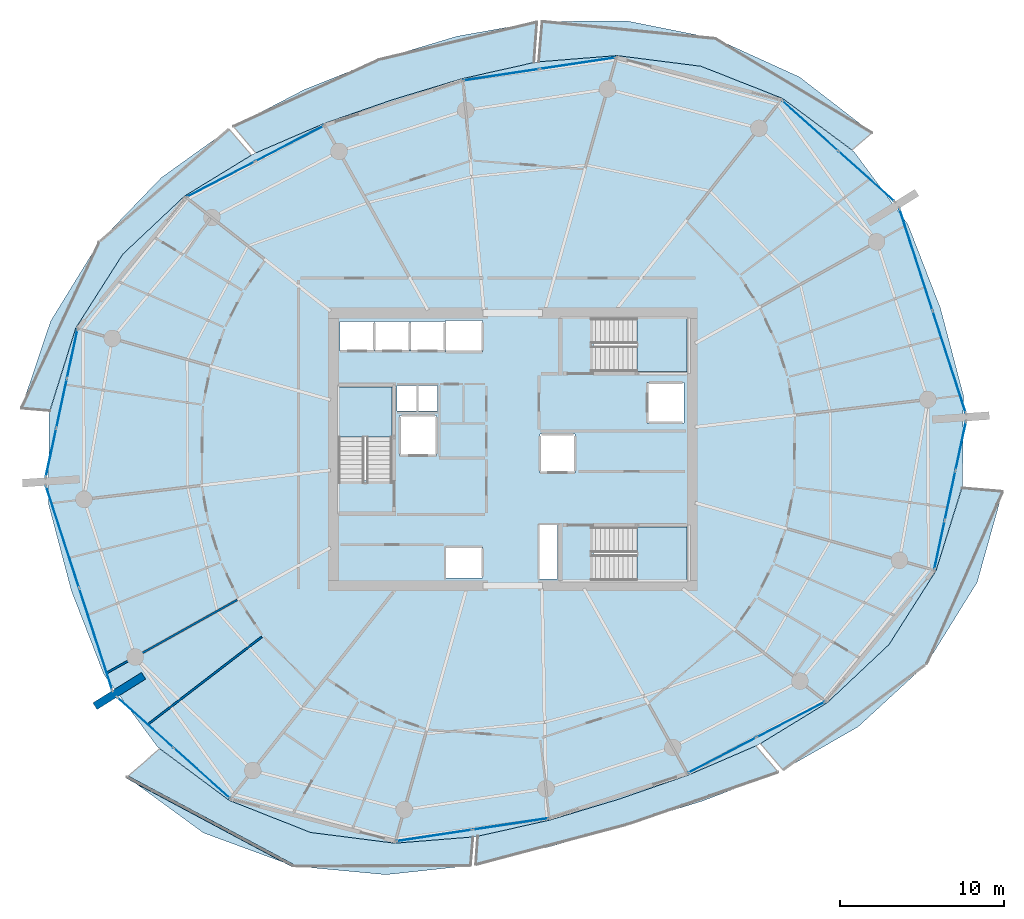
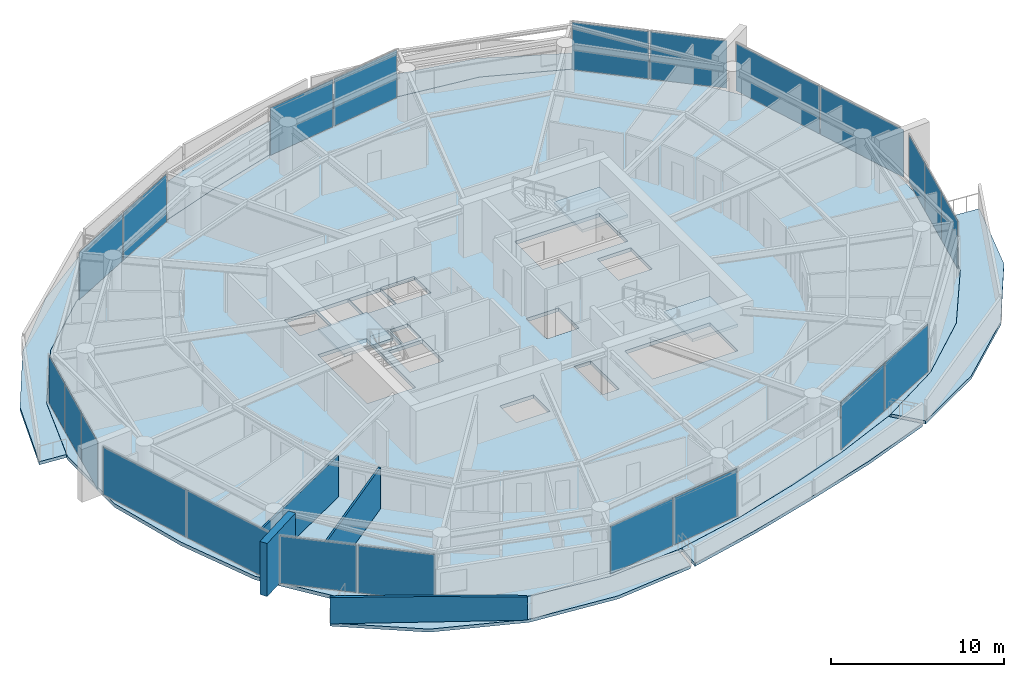
# One storey, part 10 of 20: 22 plates, 10 slabs, 4 walls, 13 elements without a shape of their own.
"""IFC4 building model written with IfcOpenShell, lengths in metres."""

from ifc_helpers import new_model, si_unit, direction, frame, frame_2d, origin, origin_2d, place, context, subcontext, project, spatial, polyline, rectangle, outline, extrude, material, layer, layer_set, type_object, element, aggregate, save


model = new_model("IFC4")

# Units and contexts
model_context = context("Model", 3, precision=1e-05, world=origin(), true_north=direction((0.0, 1.0)))
body_context = subcontext(model_context, "Body", "Model", "MODEL_VIEW")
ifc_project = project(units=[si_unit("LENGTHUNIT", "METRE"), si_unit("AREAUNIT", "SQUARE_METRE"), si_unit("VOLUMEUNIT", "CUBIC_METRE"), si_unit("PLANEANGLEUNIT", "RADIAN"), si_unit("MASSUNIT", "GRAM", prefix="KILO")], contexts=[model_context])

# Site, building, storey
site_placement = place(None, origin())
site = spatial("IfcSite", under=ifc_project, at=site_placement, CompositionType="ELEMENT")
building_placement = place(site_placement, origin())
building = spatial("IfcBuilding", under=site, at=building_placement, Name="Kazma Halo Residences", CompositionType="ELEMENT")
storey_placement = place(building_placement, frame((0.0, 0.0, 214.050048828125)))
storey = spatial("IfcBuildingStorey", under=building, at=storey_placement, Name="L54", CompositionType="ELEMENT", Elevation=214.050048828125)

# Curtain wall, plates
ifc_material_1 = material(Name="Aluminium AW-6063 T6 and Triple-Silver Low-E Glass", Category="aluminium")
ifc_layer_1 = layer(ifc_material_1, 0.219970703125)
ifc_layer_set_1 = layer_set([ifc_layer_1], Name="Aluminium AW-6063 T6 and Triple-Silver Low-E Glass")
curtain_wall_type = type_object("IfcCurtainWallType", Name="CW-SYS-4", PredefinedType="NOTDEFINED", material=ifc_layer_set_1)
curtain_wall_1_placement = place(storey_placement, origin())
curtain_wall_1 = element("IfcCurtainWall", 1, at=curtain_wall_1_placement, inside=storey, type_object=curtain_wall_type, Name="L54 unitised curtain wall B01", PredefinedType="NOTDEFINED")
ifc_material_2 = material(Name="Clear Triple-Silver Low-E Glass IGU", Category="glass")
ifc_layer_2 = layer(ifc_material_2, 0.033935546875)
ifc_layer_set_2 = layer_set([ifc_layer_2], Name="Clear Triple-Silver Low-E Glass IGU")
plate_type = type_object("IfcPlateType", Name="CW-SYS-4-PNL", PredefinedType="CURTAIN_PANEL", material=ifc_layer_set_2)
plate_1_placement = place(storey_placement, frame((70.001220703125, 58.669677734375, 0.074951171875), z_axis=(0.0, 0.0, 1.0), x_axis=(-0.744354814723, 0.667784328806, 0.0)))
plate_1 = element("IfcPlate", 2, at=plate_1_placement, type_object=plate_type, Name="CWS-4 panel 1.1", PredefinedType="CURTAIN_PANEL", context=body_context, shape_type="SweptSolid", body=[
    extrude(rectangle(XDim=4.5478515625, YDim=0.033935546875, at=origin_2d()), origin(), (0.0, 0.0, 1.0), 3.35009765625),
])
plate_2_placement = place(storey_placement, frame((66.56005859375, 61.7568359375, 0.074951171875), z_axis=(0.0, 0.0, 1.0), x_axis=(-0.744354814723, 0.667784328806, 0.0)))
plate_2 = element("IfcPlate", 3, at=plate_2_placement, type_object=plate_type, Name="CWS-4 panel 2.1", PredefinedType="CURTAIN_PANEL", context=body_context, shape_type="SweptSolid", body=[
    extrude(rectangle(XDim=4.5478515625, YDim=0.033935546875, at=origin_2d()), origin(), (0.0, 0.0, 1.0), 3.35009765625),
])
aggregate(curtain_wall_1, [plate_1, plate_2])

curtain_wall_2_placement = place(storey_placement, origin())
curtain_wall_2 = element("IfcCurtainWall", 4, at=curtain_wall_2_placement, inside=storey, type_object=curtain_wall_type, Name="L54 unitised curtain wall B03", PredefinedType="NOTDEFINED")
plate_3_placement = place(storey_placement, frame((52.375, 65.562255859375, 0.074951171875), z_axis=(0.0, 0.0, 1.0), x_axis=(-0.988871428361, -0.148772639188, 0.0)))
plate_3 = element("IfcPlate", 5, at=plate_3_placement, type_object=plate_type, Name="CWS-4 panel 1.1", PredefinedType="CURTAIN_PANEL", context=body_context, shape_type="SweptSolid", body=[
    extrude(rectangle(XDim=4.64501953125, YDim=0.033935546875, at=origin_2d()), origin(), (0.0, 0.0, 1.0), 3.35009765625),
])
plate_4_placement = place(storey_placement, frame((47.70751953125, 64.860107421875, 0.074951171875), z_axis=(0.0, 0.0, 1.0), x_axis=(-0.988871428361, -0.148772639188, 0.0)))
plate_4 = element("IfcPlate", 6, at=plate_4_placement, type_object=plate_type, Name="CWS-4 panel 2.1", PredefinedType="CURTAIN_PANEL", context=body_context, shape_type="SweptSolid", body=[
    extrude(rectangle(XDim=4.64501953125, YDim=0.033935546875, at=origin_2d()), origin(), (0.0, 0.0, 1.0), 3.35009765625),
])
aggregate(curtain_wall_2, [plate_3, plate_4])

curtain_wall_3_placement = place(storey_placement, origin())
curtain_wall_3 = element("IfcCurtainWall", 7, at=curtain_wall_3_placement, inside=storey, type_object=curtain_wall_type, Name="L54 unitised curtain wall B05", PredefinedType="NOTDEFINED")
plate_5_placement = place(storey_placement, frame((34.7998046875, 60.666015625, 0.074951171875), z_axis=(0.0, 0.0, 1.0), x_axis=(-0.887465657575, -0.460873851097, 0.0)))
plate_5 = element("IfcPlate", 8, at=plate_5_placement, type_object=plate_type, Name="CWS-4 panel 1.1", PredefinedType="CURTAIN_PANEL", context=body_context, shape_type="SweptSolid", body=[
    extrude(rectangle(XDim=4.64501953125, YDim=0.033935546875, at=origin_2d()), origin(), (0.0, 0.0, 1.0), 3.35009765625),
])
plate_6_placement = place(storey_placement, frame((30.61083984375, 58.49072265625, 0.074951171875), z_axis=(0.0, 0.0, 1.0), x_axis=(-0.887465657575, -0.460873851097, 0.0)))
plate_6 = element("IfcPlate", 9, at=plate_6_placement, type_object=plate_type, Name="CWS-4 panel 2.1", PredefinedType="CURTAIN_PANEL", context=body_context, shape_type="SweptSolid", body=[
    extrude(rectangle(XDim=4.64501953125, YDim=0.033935546875, at=origin_2d()), origin(), (0.0, 0.0, 1.0), 3.35009765625),
])
aggregate(curtain_wall_3, [plate_5, plate_6])

curtain_wall_4_placement = place(storey_placement, origin())
curtain_wall_4 = element("IfcCurtainWall", 10, at=curtain_wall_4_placement, inside=storey, type_object=curtain_wall_type, Name="L54 unitised curtain wall B07", PredefinedType="NOTDEFINED")
plate_7_placement = place(storey_placement, frame((21.53466796875, 47.833740234375, 0.074951171875), z_axis=(0.0, 0.0, 1.0), x_axis=(-0.209689543175, -0.977768017212, 0.0)))
plate_7 = element("IfcPlate", 11, at=plate_7_placement, type_object=plate_type, Name="CWS-4 panel 1.1", PredefinedType="CURTAIN_PANEL", context=body_context, shape_type="SweptSolid", body=[
    extrude(rectangle(XDim=2.994384765625, YDim=0.033935546875, at=origin_2d()), origin(), (0.0, 0.0, 1.0), 3.35009765625),
])
plate_8_placement = place(storey_placement, frame((20.88720703125, 44.814208984375, 0.074951171875), z_axis=(0.0, 0.0, 1.0), x_axis=(-0.209689543175, -0.977768017212, 0.0)))
plate_8 = element("IfcPlate", 12, at=plate_8_placement, type_object=plate_type, Name="CWS-4 panel 2.1", PredefinedType="CURTAIN_PANEL", context=body_context, shape_type="SweptSolid", body=[
    extrude(rectangle(XDim=3.031982421875, YDim=0.033935546875, at=origin_2d()), origin(), (0.0, 0.0, 1.0), 3.35009765625),
])
plate_9_placement = place(storey_placement, frame((20.239501953125, 41.794677734375, 0.074951171875), z_axis=(0.0, 0.0, 1.0), x_axis=(-0.209689543175, -0.977768017212, 0.0)))
plate_9 = element("IfcPlate", 13, at=plate_9_placement, type_object=plate_type, Name="CWS-4 panel 3.1", PredefinedType="CURTAIN_PANEL", context=body_context, shape_type="SweptSolid", body=[
    extrude(rectangle(XDim=2.994384765625, YDim=0.033935546875, at=origin_2d()), origin(), (0.0, 0.0, 1.0), 3.35009765625),
])
aggregate(curtain_wall_4, [plate_7, plate_8, plate_9])

curtain_wall_5_placement = place(storey_placement, origin())
curtain_wall_5 = element("IfcCurtainWall", 14, at=curtain_wall_5_placement, inside=storey, type_object=curtain_wall_type, Name="L54 unitised curtain wall B08", PredefinedType="NOTDEFINED")
plate_10_placement = place(storey_placement, frame((20.942626953125, 36.658447265625, 0.074951171875), z_axis=(0.0, 0.0, 1.0), x_axis=(0.309015833038, -0.951056893636, 0.0)))
plate_10 = element("IfcPlate", 15, at=plate_10_placement, type_object=plate_type, Name="CWS-4 panel 1.1", PredefinedType="CURTAIN_PANEL", context=body_context, shape_type="SweptSolid", body=[
    extrude(rectangle(XDim=6.487060546875, YDim=0.033935546875, at=origin_2d()), origin(), (0.0, 0.0, 1.0), 3.35009765625),
])
plate_11_placement = place(storey_placement, frame((22.970458984375, 30.41748046875, 0.074951171875), z_axis=(0.0, 0.0, 1.0), x_axis=(0.309015833038, -0.951056893636, 0.0)))
plate_11 = element("IfcPlate", 16, at=plate_11_placement, type_object=plate_type, Name="CWS-4 panel 2.1", PredefinedType="CURTAIN_PANEL", context=body_context, shape_type="SweptSolid", body=[
    extrude(rectangle(XDim=6.487060546875, YDim=0.033935546875, at=origin_2d()), origin(), (0.0, 0.0, 1.0), 3.35009765625),
])
aggregate(curtain_wall_5, [plate_10, plate_11])

curtain_wall_6_placement = place(storey_placement, origin())
curtain_wall_6 = element("IfcCurtainWall", 17, at=curtain_wall_6_placement, inside=storey, type_object=curtain_wall_type, Name="L54 unitised curtain wall B09", PredefinedType="NOTDEFINED")
plate_12_placement = place(storey_placement, frame((25.998779296875, 25.330322265625, 0.074951171875), z_axis=(0.0, 0.0, 1.0), x_axis=(0.744354814723, -0.667784328806, 0.0)))
plate_12 = element("IfcPlate", 18, at=plate_12_placement, type_object=plate_type, Name="CWS-4 panel 1.1", PredefinedType="CURTAIN_PANEL", context=body_context, shape_type="SweptSolid", body=[
    extrude(rectangle(XDim=4.5478515625, YDim=0.033935546875, at=origin_2d()), origin(), (0.0, 0.0, 1.0), 3.35009765625),
])
plate_13_placement = place(storey_placement, frame((29.43994140625, 22.2431640625, 0.074951171875), z_axis=(0.0, 0.0, 1.0), x_axis=(0.744354814723, -0.667784328806, 0.0)))
plate_13 = element("IfcPlate", 19, at=plate_13_placement, type_object=plate_type, Name="CWS-4 panel 2.1", PredefinedType="CURTAIN_PANEL", context=body_context, shape_type="SweptSolid", body=[
    extrude(rectangle(XDim=4.5478515625, YDim=0.033935546875, at=origin_2d()), origin(), (0.0, 0.0, 1.0), 3.35009765625),
])
aggregate(curtain_wall_6, [plate_12, plate_13])

curtain_wall_7_placement = place(storey_placement, origin())
curtain_wall_7 = element("IfcCurtainWall", 20, at=curtain_wall_7_placement, inside=storey, type_object=curtain_wall_type, Name="L54 unitised curtain wall B11", PredefinedType="NOTDEFINED")
plate_14_placement = place(storey_placement, frame((43.625, 18.437744140625, 0.074951171875), z_axis=(0.0, 0.0, 1.0), x_axis=(0.988871428361, 0.148772639188, 0.0)))
plate_14 = element("IfcPlate", 21, at=plate_14_placement, type_object=plate_type, Name="CWS-4 panel 1.1", PredefinedType="CURTAIN_PANEL", context=body_context, shape_type="SweptSolid", body=[
    extrude(rectangle(XDim=4.64501953125, YDim=0.033935546875, at=origin_2d()), origin(), (0.0, 0.0, 1.0), 3.35009765625),
])
plate_15_placement = place(storey_placement, frame((48.29248046875, 19.139892578125, 0.074951171875), z_axis=(0.0, 0.0, 1.0), x_axis=(0.988871428361, 0.148772639188, 0.0)))
plate_15 = element("IfcPlate", 22, at=plate_15_placement, type_object=plate_type, Name="CWS-4 panel 2.1", PredefinedType="CURTAIN_PANEL", context=body_context, shape_type="SweptSolid", body=[
    extrude(rectangle(XDim=4.64501953125, YDim=0.033935546875, at=origin_2d()), origin(), (0.0, 0.0, 1.0), 3.35009765625),
])
aggregate(curtain_wall_7, [plate_14, plate_15])

curtain_wall_8_placement = place(storey_placement, origin())
curtain_wall_8 = element("IfcCurtainWall", 23, at=curtain_wall_8_placement, inside=storey, type_object=curtain_wall_type, Name="L54 unitised curtain wall B13", PredefinedType="NOTDEFINED")
plate_16_placement = place(storey_placement, frame((61.2001953125, 23.333984375, 0.074951171875), z_axis=(0.0, 0.0, 1.0), x_axis=(0.887465657575, 0.460873851097, 0.0)))
plate_16 = element("IfcPlate", 24, at=plate_16_placement, type_object=plate_type, Name="CWS-4 panel 1.1", PredefinedType="CURTAIN_PANEL", context=body_context, shape_type="SweptSolid", body=[
    extrude(rectangle(XDim=4.64501953125, YDim=0.033935546875, at=origin_2d()), origin(), (0.0, 0.0, 1.0), 3.35009765625),
])
plate_17_placement = place(storey_placement, frame((65.38916015625, 25.50927734375, 0.074951171875), z_axis=(0.0, 0.0, 1.0), x_axis=(0.887465657575, 0.460873851097, 0.0)))
plate_17 = element("IfcPlate", 25, at=plate_17_placement, type_object=plate_type, Name="CWS-4 panel 2.1", PredefinedType="CURTAIN_PANEL", context=body_context, shape_type="SweptSolid", body=[
    extrude(rectangle(XDim=4.64501953125, YDim=0.033935546875, at=origin_2d()), origin(), (0.0, 0.0, 1.0), 3.35009765625),
])
aggregate(curtain_wall_8, [plate_16, plate_17])

curtain_wall_9_placement = place(storey_placement, origin())
curtain_wall_9 = element("IfcCurtainWall", 26, at=curtain_wall_9_placement, inside=storey, type_object=curtain_wall_type, Name="L54 unitised curtain wall B15", PredefinedType="NOTDEFINED")
plate_18_placement = place(storey_placement, frame((74.46533203125, 36.166259765625, 0.074951171875), z_axis=(0.0, 0.0, 1.0), x_axis=(0.209689543175, 0.977768017212, 0.0)))
plate_18 = element("IfcPlate", 27, at=plate_18_placement, type_object=plate_type, Name="CWS-4 panel 1.1", PredefinedType="CURTAIN_PANEL", context=body_context, shape_type="SweptSolid", body=[
    extrude(rectangle(XDim=2.994384765625, YDim=0.033935546875, at=origin_2d()), origin(), (0.0, 0.0, 1.0), 3.35009765625),
])
plate_19_placement = place(storey_placement, frame((75.11279296875, 39.185791015625, 0.074951171875), z_axis=(0.0, 0.0, 1.0), x_axis=(0.209689543175, 0.977768017212, 0.0)))
plate_19 = element("IfcPlate", 28, at=plate_19_placement, type_object=plate_type, Name="CWS-4 panel 2.1", PredefinedType="CURTAIN_PANEL", context=body_context, shape_type="SweptSolid", body=[
    extrude(rectangle(XDim=3.031982421875, YDim=0.033935546875, at=origin_2d()), origin(), (0.0, 0.0, 1.0), 3.35009765625),
])
plate_20_placement = place(storey_placement, frame((75.760498046875, 42.205322265625, 0.074951171875), z_axis=(0.0, 0.0, 1.0), x_axis=(0.209689543175, 0.977768017212, 0.0)))
plate_20 = element("IfcPlate", 29, at=plate_20_placement, type_object=plate_type, Name="CWS-4 panel 3.1", PredefinedType="CURTAIN_PANEL", context=body_context, shape_type="SweptSolid", body=[
    extrude(rectangle(XDim=2.994384765625, YDim=0.033935546875, at=origin_2d()), origin(), (0.0, 0.0, 1.0), 3.35009765625),
])
aggregate(curtain_wall_9, [plate_18, plate_19, plate_20])

curtain_wall_10_placement = place(storey_placement, origin())
curtain_wall_10 = element("IfcCurtainWall", 30, at=curtain_wall_10_placement, inside=storey, type_object=curtain_wall_type, Name="L54 unitised curtain wall B16", PredefinedType="NOTDEFINED")
plate_21_placement = place(storey_placement, frame((75.057373046875, 47.341552734375, 0.074951171875), z_axis=(0.0, 0.0, 1.0), x_axis=(-0.309015833038, 0.951056893636, 0.0)))
plate_21 = element("IfcPlate", 31, at=plate_21_placement, type_object=plate_type, Name="CWS-4 panel 1.1", PredefinedType="CURTAIN_PANEL", context=body_context, shape_type="SweptSolid", body=[
    extrude(rectangle(XDim=6.487060546875, YDim=0.033935546875, at=origin_2d()), origin(), (0.0, 0.0, 1.0), 3.35009765625),
])
plate_22_placement = place(storey_placement, frame((73.029541015625, 53.58251953125, 0.074951171875), z_axis=(0.0, 0.0, 1.0), x_axis=(-0.309015833038, 0.951056893636, 0.0)))
plate_22 = element("IfcPlate", 32, at=plate_22_placement, type_object=plate_type, Name="CWS-4 panel 2.1", PredefinedType="CURTAIN_PANEL", context=body_context, shape_type="SweptSolid", body=[
    extrude(rectangle(XDim=6.487060546875, YDim=0.033935546875, at=origin_2d()), origin(), (0.0, 0.0, 1.0), 3.35009765625),
])
aggregate(curtain_wall_10, [plate_21, plate_22])

# Slabs
ifc_material_3 = material(Name="White Concrete C50/60", Category="concrete")
ifc_layer_3 = layer(ifc_material_3, 0.219970703125)
ifc_layer_set_3 = layer_set([ifc_layer_3], Name="White Concrete C50/60")
slab_type_1 = type_object("IfcSlabType", Name="SLB-BAL-WAVE-210", PredefinedType="FLOOR", material=ifc_layer_set_3)
slab_1_placement = place(storey_placement, frame((0.0, 0.0, -0.219970703125)))
element("IfcSlab", 33, at=slab_1_placement, inside=storey, type_object=slab_type_1, Name="L54 NE cantilevered wave balcony slab", PredefinedType="FLOOR", context=body_context, shape_type="SweptSolid", body=[
    extrude(outline(polyline([(69.130126953125, 60.271240234375), (64.88720703125, 63.421142578125), (59.913818359375, 65.382080078125), (54.779052734375, 66.036376953125), (50.007080078125, 65.656005859375), (50.216064453125, 68.1171875), (55.3759765625, 68.1533203125), (60.77587890625, 67.073974609375), (65.918212890625, 64.729248046875), (70.33984375, 61.317138671875), (69.130126953125, 60.271240234375)])), origin(), (0.0, 0.0, 1.0), 0.219970703125),
])
slab_2_placement = place(storey_placement, frame((0.0, 0.0, -0.219970703125)))
element("IfcSlab", 34, at=slab_2_placement, inside=storey, type_object=slab_type_1, Name="L54 NNW cantilevered wave balcony slab", PredefinedType="FLOOR", context=body_context, shape_type="SweptSolid", body=[
    extrude(outline(polyline([(49.713134765625, 65.612060546875), (45.322265625, 64.62451171875), (41.066650390625, 63.338623046875), (36.867919921875, 61.877685546875), (32.735107421875, 60.095458984375), (31.3720703125, 61.71142578125), (35.70166015625, 63.960205078125), (40.27001953125, 65.790771484375), (45.015625, 67.214599609375), (49.892578125, 68.08447265625), (49.713134765625, 65.612060546875)])), origin(), (0.0, 0.0, 1.0), 0.219970703125),
])
slab_3_placement = place(storey_placement, frame((0.0, 0.0, -0.219970703125)))
element("IfcSlab", 35, at=slab_3_placement, inside=storey, type_object=slab_type_1, Name="L54 NW cantilevered wave balcony slab", PredefinedType="FLOOR", context=body_context, shape_type="SweptSolid", body=[
    extrude(outline(polyline([(32.471435546875, 59.958251953125), (28.387451171875, 57.461181640625), (24.617919921875, 53.913818359375), (21.7470703125, 49.404052734375), (20.165771484375, 44.36181640625), (18.427490234375, 44.50927734375), (20.218505859375, 49.835205078125), (23.1767578125, 54.648193359375), (26.966796875, 58.581298828125), (31.09814453125, 61.54638671875), (32.471435546875, 59.958251953125)])), origin(), (0.0, 0.0, 1.0), 0.219970703125),
])
slab_4_placement = place(storey_placement, frame((0.0, 0.0, -0.219970703125)))
element("IfcSlab", 36, at=slab_4_placement, inside=storey, type_object=slab_type_1, Name="L54 SW cantilevered wave balcony slab", PredefinedType="FLOOR", context=body_context, shape_type="SweptSolid", body=[
    extrude(outline(polyline([(26.869873046875, 23.728759765625), (31.11279296875, 20.578857421875), (36.086181640625, 18.617919921875), (41.220947265625, 17.963623046875), (45.992919921875, 18.343994140625), (45.844970703125, 16.60205078125), (40.67919921875, 16.0419921875), (35.04345703125, 16.5712890625), (29.54638671875, 18.591796875), (24.873779296875, 22.002685546875), (26.869873046875, 23.728759765625)])), origin(), (0.0, 0.0, 1.0), 0.219970703125),
])
slab_5_placement = place(storey_placement, frame((0.0, 0.0, -0.219970703125)))
element("IfcSlab", 37, at=slab_5_placement, inside=storey, type_object=slab_type_1, Name="L54 SSE cantilevered wave balcony slab", PredefinedType="FLOOR", context=body_context, shape_type="SweptSolid", body=[
    extrude(outline(polyline([(46.286865234375, 18.387939453125), (50.677734375, 19.37548828125), (54.933349609375, 20.661376953125), (59.132080078125, 22.122314453125), (63.264892578125, 23.904541015625), (64.61572265625, 22.302978515625), (60.01611328125, 20.5439453125), (55.43310546875, 19.123046875), (50.864501953125, 17.798583984375), (46.16162109375, 16.662109375), (46.286865234375, 18.387939453125)])), origin(), (0.0, 0.0, 1.0), 0.219970703125),
])
slab_6_placement = place(storey_placement, frame((0.0, 0.0, -0.219970703125)))
element("IfcSlab", 38, at=slab_6_placement, inside=storey, type_object=slab_type_1, Name="L54 SE cantilevered wave balcony slab", PredefinedType="FLOOR", context=body_context, shape_type="SweptSolid", body=[
    extrude(outline(polyline([(63.528564453125, 24.041748046875), (67.612548828125, 26.538818359375), (71.382080078125, 30.086181640625), (74.2529296875, 34.595947265625), (75.834228515625, 39.63818359375), (78.318603515625, 39.427490234375), (76.76318359375, 33.887939453125), (73.679443359375, 28.915771484375), (69.487060546875, 25.06103515625), (64.914306640625, 22.439208984375), (63.528564453125, 24.041748046875)])), origin(), (0.0, 0.0, 1.0), 0.219970703125),
])
ifc_material_4 = material(Name="Concrete C50/60", Category="concrete")
ifc_layer_4 = layer(ifc_material_4, 0.25)
ifc_layer_set_4 = layer_set([ifc_layer_4], Name="Concrete C50/60")
slab_type_2 = type_object("IfcSlabType", Name="SLB-RES-250", PredefinedType="FLOOR", material=ifc_layer_set_4)
slab_7_placement = place(storey_placement, frame((0.0, 0.0, -0.25)))
element("IfcSlab", 39, at=slab_7_placement, inside=storey, type_object=slab_type_2, Name="L54 structural floor slab", PredefinedType="FLOOR", context=body_context, shape_type="SweptSolid", body=[
    extrude(outline(polyline([(74.521484375, 50.617431640625), (72.531982421875, 55.738525390625), (69.2587890625, 60.156494140625), (64.8857421875, 63.41943359375), (59.912841796875, 65.380126953125), (54.7783203125, 66.034423828125), (49.860595703125, 65.64111328125), (45.322509765625, 64.62255859375), (41.0673828125, 63.336669921875), (36.868896484375, 61.875732421875), (32.598876953125, 60.032470703125), (28.388916015625, 57.460205078125), (24.619873046875, 53.912841796875), (21.7490234375, 49.403564453125), (20.129150390625, 44.193603515625), (20.07763671875, 38.6953125), (21.478515625, 33.382568359375), (23.468017578125, 28.261474609375), (26.7412109375, 23.843505859375), (31.1142578125, 20.58056640625), (36.087158203125, 18.619873046875), (41.2216796875, 17.965576171875), (46.139404296875, 18.35888671875), (50.677490234375, 19.37744140625), (54.9326171875, 20.663330078125), (59.131103515625, 22.124267578125), (63.401123046875, 23.967529296875), (67.611083984375, 26.539794921875), (71.380126953125, 30.087158203125), (74.2509765625, 34.596435546875), (75.870849609375, 39.806396484375), (75.92236328125, 45.3046875), (74.521484375, 50.617431640625)]), holes=[polyline([(37.800048828125, 40.110107421875), (41.050048828125, 40.110107421875), (41.050048828125, 45.800048828125), (37.800048828125, 45.800048828125), (37.800048828125, 40.110107421875)]), polyline([(53.360107421875, 46.75), (59.050048828125, 46.75), (59.050048828125, 50.0), (53.360107421875, 50.0), (53.360107421875, 46.75)]), polyline([(53.360107421875, 34.0), (59.050048828125, 34.0), (59.050048828125, 37.25), (53.360107421875, 37.25), (53.360107421875, 34.0)]), polyline([(41.52001953125, 41.6201171875), (43.780029296875, 41.6201171875), (43.780029296875, 44.080078125), (41.52001953125, 44.080078125), (41.52001953125, 41.6201171875)]), polyline([(56.6201171875, 43.6201171875), (58.8798828125, 43.6201171875), (58.8798828125, 46.080078125), (56.6201171875, 46.080078125), (56.6201171875, 43.6201171875)]), polyline([(37.864990234375, 47.9951171875), (39.97509765625, 47.9951171875), (39.97509765625, 49.804931640625), (37.864990234375, 49.804931640625), (37.864990234375, 47.9951171875)]), polyline([(40.014892578125, 47.9951171875), (42.125, 47.9951171875), (42.125, 49.804931640625), (40.014892578125, 49.804931640625), (40.014892578125, 47.9951171875)]), polyline([(42.1650390625, 47.9951171875), (44.27490234375, 47.9951171875), (44.27490234375, 49.804931640625), (42.1650390625, 49.804931640625), (42.1650390625, 47.9951171875)]), polyline([(44.320068359375, 47.945068359375), (46.580078125, 47.945068359375), (46.580078125, 49.85498046875), (44.320068359375, 49.85498046875), (44.320068359375, 47.945068359375)]), polyline([(44.320068359375, 34.14501953125), (46.580078125, 34.14501953125), (46.580078125, 36.054931640625), (44.320068359375, 36.054931640625), (44.320068359375, 34.14501953125)]), polyline([(50.070068359375, 40.570068359375), (52.22998046875, 40.570068359375), (52.22998046875, 42.929931640625), (50.070068359375, 42.929931640625), (50.070068359375, 40.570068359375)]), polyline([(41.360107421875, 44.340087890625), (42.5400390625, 44.340087890625), (42.5400390625, 45.89990234375), (41.360107421875, 45.89990234375), (41.360107421875, 44.340087890625)]), polyline([(42.659912109375, 44.340087890625), (43.840087890625, 44.340087890625), (43.840087890625, 45.89990234375), (42.659912109375, 45.89990234375), (42.659912109375, 44.340087890625)]), polyline([(50.06005859375, 34.080078125), (51.159912109375, 34.080078125), (51.159912109375, 37.3798828125), (50.06005859375, 37.3798828125), (50.06005859375, 34.080078125)])]), origin(), (0.0, 0.0, 1.0), 0.25),
])

# Stair, slab
stair_type = type_object("IfcStairType", Name="STR-RES1", PredefinedType="HALF_TURN_STAIR", material=ifc_material_4)
stair_1_placement = place(storey_placement, origin())
stair_1 = element("IfcStair", 40, at=stair_1_placement, inside=storey, type_object=stair_type, Name="L54 Core exit stair ST-01", PredefinedType="HALF_TURN_STAIR")
ifc_layer_5 = layer(ifc_material_4, 0.199951171875)
ifc_layer_set_5 = layer_set([ifc_layer_5], Name="Concrete C50/60")
slab_type_3 = type_object("IfcSlabType", Name="SLB-STAIR-LND-200", PredefinedType="LANDING", material=ifc_layer_set_5)
slab_8_placement = place(storey_placement, frame((0.0, 0.0, 1.675048828125)))
slab_8 = element("IfcSlab", 41, at=slab_8_placement, type_object=slab_type_3, Name="ST-01 landing 1", PredefinedType="LANDING", context=body_context, shape_type="SweptSolid", body=[
    extrude(outline(polyline([(41.050048828125, 42.75), (41.050048828125, 45.800048828125), (37.800048828125, 45.800048828125), (37.800048828125, 42.75), (41.050048828125, 42.75)])), origin(), (0.0, 0.0, 1.0), 0.199951171875),
])
aggregate(stair_1, [slab_8])

stair_2_placement = place(storey_placement, origin())
stair_2 = element("IfcStair", 42, at=stair_2_placement, inside=storey, type_object=stair_type, Name="L54 Core exit stair ST-02", PredefinedType="HALF_TURN_STAIR")
slab_9_placement = place(storey_placement, frame((0.0, 0.0, 1.675048828125)))
slab_9 = element("IfcSlab", 43, at=slab_9_placement, type_object=slab_type_3, Name="ST-02 landing 1", PredefinedType="LANDING", context=body_context, shape_type="SweptSolid", body=[
    extrude(outline(polyline([(56.0, 46.75), (59.050048828125, 46.75), (59.050048828125, 50.0), (56.0, 50.0), (56.0, 46.75)])), origin(), (0.0, 0.0, 1.0), 0.199951171875),
])
aggregate(stair_2, [slab_9])

stair_3_placement = place(storey_placement, origin())
stair_3 = element("IfcStair", 44, at=stair_3_placement, inside=storey, type_object=stair_type, Name="L54 Core exit stair ST-03", PredefinedType="HALF_TURN_STAIR")
slab_10_placement = place(storey_placement, frame((0.0, 0.0, 1.675048828125)))
slab_10 = element("IfcSlab", 45, at=slab_10_placement, type_object=slab_type_3, Name="ST-03 landing 1", PredefinedType="LANDING", context=body_context, shape_type="SweptSolid", body=[
    extrude(outline(polyline([(56.0, 34.0), (59.050048828125, 34.0), (59.050048828125, 37.25), (56.0, 37.25), (56.0, 34.0)])), origin(), (0.0, 0.0, 1.0), 0.199951171875),
])
aggregate(stair_3, [slab_10])

# Walls
ifc_material_5 = material(Name="White Concrete C50/60 Balustrade", Category="concrete")
ifc_layer_6 = layer(ifc_material_5, 0.179931640625)
ifc_layer_set_6 = layer_set([ifc_layer_6], Name="White Concrete C50/60 Balustrade")
wall_type_1 = type_object("IfcWallType", Name="WL-BAL-WAVE-180", PredefinedType="PARAPET", material=ifc_layer_set_6)
wall_1_placement = place(storey_placement, frame((24.873779296875, 22.002685546875, 0.0), z_axis=(0.0, 0.0, 1.0), x_axis=(0.882077945567, -0.471103489632, 0.0)))
element("IfcWall", 46, at=wall_1_placement, inside=storey, type_object=wall_type_1, Name="L54 white wave balustrade wall SW.1", PredefinedType="PARAPET", context=body_context, shape_type="SweptSolid", body=[
    extrude(outline(polyline([(0.0, 0.0), (11.409423828125, 0.0), (11.409423828125, 1.6318359375), (5.70458984375, 1.7978515625), (0.0, 1.85986328125), (0.0, 0.0)])), frame((0.0, 0.08984375, 0.0), z_axis=(0.0, -1.0, 0.0), x_axis=(1.0, 0.0, 0.0)), (0.0, 0.0, 1.0), 0.179931640625),
])
ifc_material_6 = material(Name="Pale Concrete C60/75", Category="concrete")
ifc_layer_7 = layer(ifc_material_6, 0.47998046875)
ifc_layer_set_7 = layer_set([ifc_layer_7], Name="Pale Concrete C60/75")
wall_type_2 = type_object("IfcWallType", Name="WL-BLADE-480", PredefinedType="SOLIDWALL", material=ifc_layer_set_7)
wall_2_placement = place(storey_placement, frame((25.88623046875, 28.181884765625, 0.0), z_axis=(0.0, 0.0, 1.0), x_axis=(-0.848033572426, -0.529942506352, 0.0)))
element("IfcWall", 47, at=wall_2_placement, inside=storey, type_object=wall_type_2, Name="L54 pale concrete structural blade fin wall BW-03", PredefinedType="SOLIDWALL", context=body_context, shape_type="SweptSolid", body=[
    extrude(rectangle(XDim=3.5, YDim=0.47998046875, at=frame_2d((1.75, 0.0))), origin(), (0.0, 0.0, 1.0), 3.75),
])
ifc_material_7 = material(Name="Gypsum Plasterboard Partition")
ifc_layer_8 = layer(ifc_material_7, 0.125)
ifc_layer_set_8 = layer_set([ifc_layer_8], Name="Gypsum Plasterboard Partition")
wall_type_3 = type_object("IfcWallType", Name="WL-PART-125", PredefinedType="PARTITIONING", material=ifc_layer_set_8)
wall_3_placement = place(storey_placement, frame((31.602294921875, 32.81689453125, 0.0), z_axis=(0.0, 0.0, 1.0), x_axis=(-0.872494579812, -0.488623790047, 0.0)))
element("IfcWall", 48, at=wall_3_placement, inside=storey, type_object=wall_type_3, Name="L54 Apartment 1 radial partition 8", PredefinedType="PARTITIONING", context=body_context, shape_type="SweptSolid", body=[
    extrude(rectangle(XDim=9.10107421875, YDim=0.125, at=frame_2d((4.550537109375, 0.0))), origin(), (0.0, 0.0, 1.0), 2.93994140625),
])
wall_4_placement = place(storey_placement, frame((33.103515625, 30.55712890625, 0.0), z_axis=(0.0, 0.0, 1.0), x_axis=(-0.793029985802, -0.609182601212, 0.0)))
element("IfcWall", 49, at=wall_4_placement, inside=storey, type_object=wall_type_3, Name="L54 Apartment 1 mid-bay wall 8", PredefinedType="PARTITIONING", context=body_context, shape_type="SweptSolid", body=[
    extrude(rectangle(XDim=8.75927734375, YDim=0.125, at=frame_2d((4.379638671875, 0.0))), origin(), (0.0, 0.0, 1.0), 2.93994140625),
])

save(model, "model.ifc")
